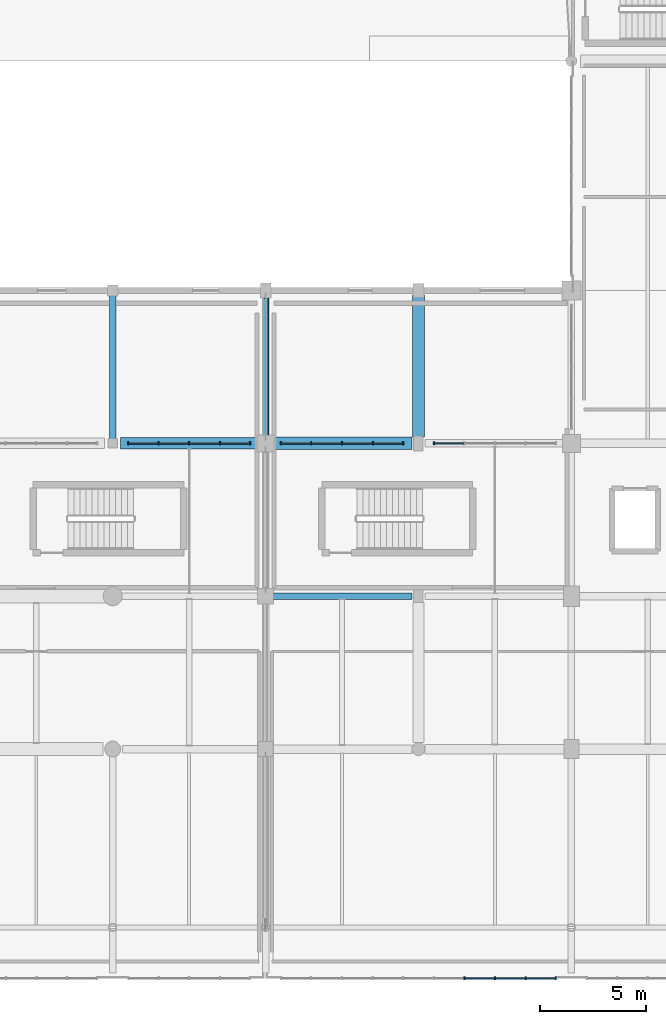
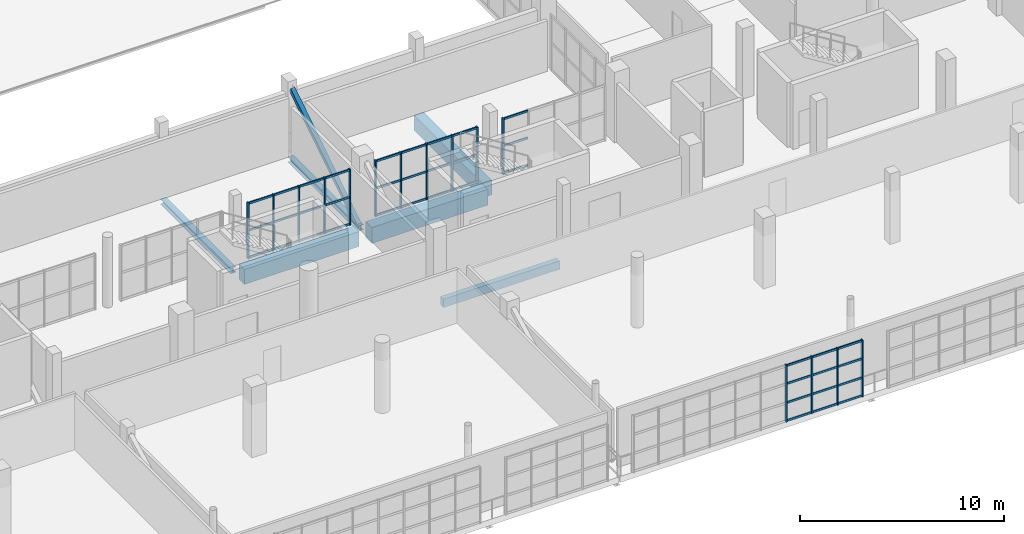
# One storey, part 32 of 90: 55 members, 6 beams, 4 elements without a shape of their own.
"""IFC4 building model written with IfcOpenShell, lengths in metres."""

from ifc_helpers import new_model, si_unit, direction, frame, origin, origin_2d, place, context, subcontext, project, spatial, rectangle, hollow_rectangle, i_section, extrude, material, material_profile, profile_set, type_object, element, aggregate, save


model = new_model("IFC4")

# Units and contexts
model_context = context("Model", 3, precision=1e-05, world=origin(), true_north=direction((0.0, 1.0)))
body_context = subcontext(model_context, "Body", "Model", "MODEL_VIEW")
ifc_project = project(units=[si_unit("LENGTHUNIT", "METRE"), si_unit("AREAUNIT", "SQUARE_METRE"), si_unit("VOLUMEUNIT", "CUBIC_METRE"), si_unit("PLANEANGLEUNIT", "RADIAN"), si_unit("MASSUNIT", "GRAM", prefix="KILO")], contexts=[model_context])

# Site, building, storey
site_placement = place(None, origin())
site = spatial("IfcSite", under=ifc_project, at=site_placement, CompositionType="ELEMENT")
building_placement = place(site_placement, origin())
building = spatial("IfcBuilding", under=site, at=building_placement, Name="Solanera Park Tramway Depot", CompositionType="ELEMENT")
storey_placement = place(building_placement, frame((0.0, 0.0, 9.0)))
storey = spatial("IfcBuildingStorey", under=building, at=storey_placement, Name="L02", CompositionType="ELEMENT", Elevation=9.0)

# Curtain wall, members
ifc_material_1 = material(Name="Bronze-anodised thermally broken aluminium curtain wall", Category="aluminium")
curtain_wall_type_1 = type_object("IfcCurtainWallType", Name="Courtyard Cloister Unitised Curtain Wall", PredefinedType="NOTDEFINED", material=ifc_material_1)
curtain_wall_1_placement = place(storey_placement, origin())
curtain_wall_1 = element("IfcCurtainWall", 1, at=curtain_wall_1_placement, inside=storey, type_object=curtain_wall_type_1, Name="L02 Courtyard Cloister Unitised Curtain Wall #107", PredefinedType="NOTDEFINED")
ifc_material_2 = material(Name="Bronze-anodised structural aluminium 6063-T6", Category="aluminium")
ifc_material_profile_1 = material_profile(ifc_material_2, rectangle(XDim=0.06494140625, YDim=0.14990234375, at=origin_2d()), Name="Curtain Wall Mullion 65x150")
ifc_profile_set_1 = profile_set([ifc_material_profile_1], Name="Bronze-anodised structural aluminium 6063-T6")
member_type_1 = type_object("IfcMemberType", Name="Curtain Wall Mullion 65x150", PredefinedType="MULLION", material=ifc_profile_set_1)
member_1_placement = place(storey_placement, frame((144.732421875, 25.199951171875, 0.0), z_axis=(0.0, 0.0, 1.0), x_axis=(1.0, 0.0, 0.0)))
member_1 = element("IfcMember", 2, at=member_1_placement, type_object=member_type_1, Name="CW-L02-107 Mullion 1", PredefinedType="MULLION", context=body_context, shape_type="SweptSolid", body=[
    extrude(rectangle(XDim=0.06494140625, YDim=0.14990234375, at=origin_2d()), origin(), (0.0, 0.0, 1.0), 3.35009765625),
])
member_2_placement = place(storey_placement, frame((146.14990234375, 25.199951171875, 0.0), z_axis=(0.0, 0.0, 1.0), x_axis=(1.0, 0.0, 0.0)))
member_2 = element("IfcMember", 3, at=member_2_placement, type_object=member_type_1, Name="CW-L02-107 Mullion 2", PredefinedType="MULLION", context=body_context, shape_type="SweptSolid", body=[
    extrude(rectangle(XDim=0.06494140625, YDim=0.14990234375, at=origin_2d()), origin(), (0.0, 0.0, 1.0), 3.35009765625),
])
member_3_placement = place(storey_placement, frame((147.60009765625, 25.199951171875, 0.0), z_axis=(0.0, 0.0, 1.0), x_axis=(1.0, 0.0, 0.0)))
member_3 = element("IfcMember", 4, at=member_3_placement, type_object=member_type_1, Name="CW-L02-107 Mullion 3", PredefinedType="MULLION", context=body_context, shape_type="SweptSolid", body=[
    extrude(rectangle(XDim=0.06494140625, YDim=0.14990234375, at=origin_2d()), origin(), (0.0, 0.0, 1.0), 3.35009765625),
])
member_4_placement = place(storey_placement, frame((149.050048828125, 25.199951171875, 0.0), z_axis=(0.0, 0.0, 1.0), x_axis=(1.0, 0.0, 0.0)))
member_4 = element("IfcMember", 5, at=member_4_placement, type_object=member_type_1, Name="CW-L02-107 Mullion 4", PredefinedType="MULLION", context=body_context, shape_type="SweptSolid", body=[
    extrude(rectangle(XDim=0.06494140625, YDim=0.14990234375, at=origin_2d()), origin(), (0.0, 0.0, 1.0), 3.35009765625),
])
member_5_placement = place(storey_placement, frame((150.467529296875, 25.199951171875, 0.0), z_axis=(0.0, 0.0, 1.0), x_axis=(1.0, 0.0, 0.0)))
member_5 = element("IfcMember", 6, at=member_5_placement, type_object=member_type_1, Name="CW-L02-107 Mullion 5", PredefinedType="MULLION", context=body_context, shape_type="SweptSolid", body=[
    extrude(rectangle(XDim=0.06494140625, YDim=0.14990234375, at=origin_2d()), origin(), (0.0, 0.0, 1.0), 3.35009765625),
])

curtain_wall_2_placement = place(storey_placement, origin())
curtain_wall_2 = element("IfcCurtainWall", 7, at=curtain_wall_2_placement, inside=storey, type_object=curtain_wall_type_1, Name="L02 Courtyard Cloister Unitised Curtain Wall #108", PredefinedType="NOTDEFINED")
member_6_placement = place(storey_placement, frame((151.9326171875, 25.199951171875, 0.0), z_axis=(0.0, 0.0, 1.0), x_axis=(1.0, 0.0, 0.0)))
member_6 = element("IfcMember", 8, at=member_6_placement, type_object=member_type_1, Name="CW-L02-108 Mullion 1", PredefinedType="MULLION", context=body_context, shape_type="SweptSolid", body=[
    extrude(rectangle(XDim=0.06494140625, YDim=0.14990234375, at=origin_2d()), origin(), (0.0, 0.0, 1.0), 3.35009765625),
])
member_7_placement = place(storey_placement, frame((153.35009765625, 25.199951171875, 0.0), z_axis=(0.0, 0.0, 1.0), x_axis=(1.0, 0.0, 0.0)))
member_7 = element("IfcMember", 9, at=member_7_placement, type_object=member_type_1, Name="CW-L02-108 Mullion 2", PredefinedType="MULLION", context=body_context, shape_type="SweptSolid", body=[
    extrude(rectangle(XDim=0.06494140625, YDim=0.14990234375, at=origin_2d()), origin(), (0.0, 0.0, 1.0), 3.35009765625),
])
member_8_placement = place(storey_placement, frame((154.800048828125, 25.199951171875, 0.0), z_axis=(0.0, 0.0, 1.0), x_axis=(1.0, 0.0, 0.0)))
member_8 = element("IfcMember", 10, at=member_8_placement, type_object=member_type_1, Name="CW-L02-108 Mullion 3", PredefinedType="MULLION", context=body_context, shape_type="SweptSolid", body=[
    extrude(rectangle(XDim=0.06494140625, YDim=0.14990234375, at=origin_2d()), origin(), (0.0, 0.0, 1.0), 3.35009765625),
])
member_9_placement = place(storey_placement, frame((156.25, 25.199951171875, 0.0), z_axis=(0.0, 0.0, 1.0), x_axis=(1.0, 0.0, 0.0)))
member_9 = element("IfcMember", 11, at=member_9_placement, type_object=member_type_1, Name="CW-L02-108 Mullion 4", PredefinedType="MULLION", context=body_context, shape_type="SweptSolid", body=[
    extrude(rectangle(XDim=0.06494140625, YDim=0.14990234375, at=origin_2d()), origin(), (0.0, 0.0, 1.0), 3.35009765625),
])
member_10_placement = place(storey_placement, frame((157.66748046875, 25.199951171875, 0.0), z_axis=(0.0, 0.0, 1.0), x_axis=(1.0, 0.0, 0.0)))
member_10 = element("IfcMember", 12, at=member_10_placement, type_object=member_type_1, Name="CW-L02-108 Mullion 5", PredefinedType="MULLION", context=body_context, shape_type="SweptSolid", body=[
    extrude(rectangle(XDim=0.06494140625, YDim=0.14990234375, at=origin_2d()), origin(), (0.0, 0.0, 1.0), 3.35009765625),
])

# Curtain wall, member
curtain_wall_3_placement = place(storey_placement, origin())
curtain_wall_3 = element("IfcCurtainWall", 13, at=curtain_wall_3_placement, inside=storey, type_object=curtain_wall_type_1, Name="L02 Courtyard Cloister Unitised Curtain Wall #109", PredefinedType="NOTDEFINED")
member_11_placement = place(storey_placement, frame((159.132568359375, 25.199951171875, 0.0), z_axis=(0.0, 0.0, 1.0), x_axis=(1.0, 0.0, 0.0)))
member_11 = element("IfcMember", 14, at=member_11_placement, type_object=member_type_1, Name="CW-L02-109 Mullion 1", PredefinedType="MULLION", context=body_context, shape_type="SweptSolid", body=[
    extrude(rectangle(XDim=0.06494140625, YDim=0.14990234375, at=origin_2d()), origin(), (0.0, 0.0, 1.0), 3.35009765625),
])

# Curtain wall, members
ifc_material_3 = material(Name="Bronze-anodised thermally broken aluminium curtain wall", Category="aluminium")
curtain_wall_type_2 = type_object("IfcCurtainWallType", Name="Cantilevered OCC Inclined Glazing Wall", PredefinedType="NOTDEFINED", material=ifc_material_3)
curtain_wall_4_placement = place(storey_placement, origin())
curtain_wall_4 = element("IfcCurtainWall", 15, at=curtain_wall_4_placement, inside=storey, type_object=curtain_wall_type_2, Name="L02 Cantilevered OCC Inclined Glazing Wall #118", PredefinedType="NOTDEFINED")
member_12_placement = place(storey_placement, frame((160.566650390625, 0.0, 0.0), z_axis=(0.0, 0.0, 1.0), x_axis=(1.0, 0.0, 0.0)))
member_12 = element("IfcMember", 16, at=member_12_placement, type_object=member_type_1, Name="CW-L02-118 Mullion 7", PredefinedType="MULLION", context=body_context, shape_type="SweptSolid", body=[
    extrude(rectangle(XDim=0.06494140625, YDim=0.14990234375, at=origin_2d()), origin(), (0.0, 0.0, 1.0), 3.39990234375),
])
member_13_placement = place(storey_placement, frame((162.010986328125, 0.0, 0.0), z_axis=(0.0, 0.0, 1.0), x_axis=(1.0, 0.0, 0.0)))
member_13 = element("IfcMember", 17, at=member_13_placement, type_object=member_type_1, Name="CW-L02-118 Mullion 8", PredefinedType="MULLION", context=body_context, shape_type="SweptSolid", body=[
    extrude(rectangle(XDim=0.06494140625, YDim=0.14990234375, at=origin_2d()), origin(), (0.0, 0.0, 1.0), 3.39990234375),
])
member_14_placement = place(storey_placement, frame((163.45556640625, 0.0, 0.0), z_axis=(0.0, 0.0, 1.0), x_axis=(1.0, 0.0, 0.0)))
member_14 = element("IfcMember", 18, at=member_14_placement, type_object=member_type_1, Name="CW-L02-118 Mullion 9", PredefinedType="MULLION", context=body_context, shape_type="SweptSolid", body=[
    extrude(rectangle(XDim=0.06494140625, YDim=0.14990234375, at=origin_2d()), origin(), (0.0, 0.0, 1.0), 3.39990234375),
])
member_15_placement = place(storey_placement, frame((164.867431640625, 0.0, 0.0), z_axis=(0.0, 0.0, 1.0), x_axis=(1.0, 0.0, 0.0)))
member_15 = element("IfcMember", 19, at=member_15_placement, type_object=member_type_1, Name="CW-L02-118 Mullion 10", PredefinedType="MULLION", context=body_context, shape_type="SweptSolid", body=[
    extrude(rectangle(XDim=0.06494140625, YDim=0.14990234375, at=origin_2d()), origin(), (0.0, 0.0, 1.0), 3.39990234375),
])

# Member
ifc_material_4 = material(Name="Bronze-anodised structural aluminium 6063-T6", Category="aluminium")
ifc_material_profile_2 = material_profile(ifc_material_4, rectangle(XDim=0.06494140625, YDim=0.1201171875, at=origin_2d()), Name="Curtain Wall Transom 65x120")
ifc_profile_set_2 = profile_set([ifc_material_profile_2], Name="Bronze-anodised structural aluminium 6063-T6")
member_type_2 = type_object("IfcMemberType", Name="Curtain Wall Transom 65x120", PredefinedType="USERDEFINED", material=ifc_profile_set_2)
member_16_placement = place(storey_placement, frame((144.760498046875, 25.199951171875, 0.06005859375), z_axis=(1.0, 0.0, 0.0), x_axis=(0.0, 1.0, 0.0)))
member_16 = element("IfcMember", 20, at=member_16_placement, type_object=member_type_2, Name="CW-L02-107 Transom R1.C1", ObjectType="TRANSOM", PredefinedType="USERDEFINED", context=body_context, shape_type="SweptSolid", body=[
    extrude(rectangle(XDim=0.06494140625, YDim=0.1201171875, at=origin_2d()), origin(), (0.0, 0.0, 1.0), 1.361572265625),
])

member_17_placement = place(storey_placement, frame((146.177978515625, 25.199951171875, 0.06005859375), z_axis=(1.0, 0.0, 0.0), x_axis=(0.0, 1.0, 0.0)))
member_17 = element("IfcMember", 21, at=member_17_placement, type_object=member_type_2, Name="CW-L02-107 Transom R1.C2", ObjectType="TRANSOM", PredefinedType="USERDEFINED", context=body_context, shape_type="SweptSolid", body=[
    extrude(rectangle(XDim=0.06494140625, YDim=0.1201171875, at=origin_2d()), origin(), (0.0, 0.0, 1.0), 1.39404296875),
])

member_18_placement = place(storey_placement, frame((147.6279296875, 25.199951171875, 0.06005859375), z_axis=(1.0, 0.0, 0.0), x_axis=(0.0, 1.0, 0.0)))
member_18 = element("IfcMember", 22, at=member_18_placement, type_object=member_type_2, Name="CW-L02-107 Transom R1.C3", ObjectType="TRANSOM", PredefinedType="USERDEFINED", context=body_context, shape_type="SweptSolid", body=[
    extrude(rectangle(XDim=0.06494140625, YDim=0.1201171875, at=origin_2d()), origin(), (0.0, 0.0, 1.0), 1.39404296875),
])

member_19_placement = place(storey_placement, frame((149.077880859375, 25.199951171875, 0.06005859375), z_axis=(1.0, 0.0, 0.0), x_axis=(0.0, 1.0, 0.0)))
member_19 = element("IfcMember", 23, at=member_19_placement, type_object=member_type_2, Name="CW-L02-107 Transom R1.C4", ObjectType="TRANSOM", PredefinedType="USERDEFINED", context=body_context, shape_type="SweptSolid", body=[
    extrude(rectangle(XDim=0.06494140625, YDim=0.1201171875, at=origin_2d()), origin(), (0.0, 0.0, 1.0), 1.361572265625),
])

member_20_placement = place(storey_placement, frame((144.760498046875, 25.199951171875, 1.675048828125), z_axis=(1.0, 0.0, 0.0), x_axis=(0.0, 1.0, 0.0)))
member_20 = element("IfcMember", 24, at=member_20_placement, type_object=member_type_2, Name="CW-L02-107 Transom R2.C1", ObjectType="TRANSOM", PredefinedType="USERDEFINED", context=body_context, shape_type="SweptSolid", body=[
    extrude(rectangle(XDim=0.06494140625, YDim=0.1201171875, at=origin_2d()), origin(), (0.0, 0.0, 1.0), 1.361572265625),
])

member_21_placement = place(storey_placement, frame((146.177978515625, 25.199951171875, 1.675048828125), z_axis=(1.0, 0.0, 0.0), x_axis=(0.0, 1.0, 0.0)))
member_21 = element("IfcMember", 25, at=member_21_placement, type_object=member_type_2, Name="CW-L02-107 Transom R2.C2", ObjectType="TRANSOM", PredefinedType="USERDEFINED", context=body_context, shape_type="SweptSolid", body=[
    extrude(rectangle(XDim=0.06494140625, YDim=0.1201171875, at=origin_2d()), origin(), (0.0, 0.0, 1.0), 1.39404296875),
])

member_22_placement = place(storey_placement, frame((147.6279296875, 25.199951171875, 1.675048828125), z_axis=(1.0, 0.0, 0.0), x_axis=(0.0, 1.0, 0.0)))
member_22 = element("IfcMember", 26, at=member_22_placement, type_object=member_type_2, Name="CW-L02-107 Transom R2.C3", ObjectType="TRANSOM", PredefinedType="USERDEFINED", context=body_context, shape_type="SweptSolid", body=[
    extrude(rectangle(XDim=0.06494140625, YDim=0.1201171875, at=origin_2d()), origin(), (0.0, 0.0, 1.0), 1.39404296875),
])

member_23_placement = place(storey_placement, frame((149.077880859375, 25.199951171875, 1.675048828125), z_axis=(1.0, 0.0, 0.0), x_axis=(0.0, 1.0, 0.0)))
member_23 = element("IfcMember", 27, at=member_23_placement, type_object=member_type_2, Name="CW-L02-107 Transom R2.C4", ObjectType="TRANSOM", PredefinedType="USERDEFINED", context=body_context, shape_type="SweptSolid", body=[
    extrude(rectangle(XDim=0.06494140625, YDim=0.1201171875, at=origin_2d()), origin(), (0.0, 0.0, 1.0), 1.361572265625),
])

member_24_placement = place(storey_placement, frame((144.760498046875, 25.199951171875, 3.2900390625), z_axis=(1.0, 0.0, 0.0), x_axis=(0.0, 1.0, 0.0)))
member_24 = element("IfcMember", 28, at=member_24_placement, type_object=member_type_2, Name="CW-L02-107 Transom R3.C1", ObjectType="TRANSOM", PredefinedType="USERDEFINED", context=body_context, shape_type="SweptSolid", body=[
    extrude(rectangle(XDim=0.06494140625, YDim=0.1201171875, at=origin_2d()), origin(), (0.0, 0.0, 1.0), 1.361572265625),
])

member_25_placement = place(storey_placement, frame((146.177978515625, 25.199951171875, 3.2900390625), z_axis=(1.0, 0.0, 0.0), x_axis=(0.0, 1.0, 0.0)))
member_25 = element("IfcMember", 29, at=member_25_placement, type_object=member_type_2, Name="CW-L02-107 Transom R3.C2", ObjectType="TRANSOM", PredefinedType="USERDEFINED", context=body_context, shape_type="SweptSolid", body=[
    extrude(rectangle(XDim=0.06494140625, YDim=0.1201171875, at=origin_2d()), origin(), (0.0, 0.0, 1.0), 1.39404296875),
])

member_26_placement = place(storey_placement, frame((147.6279296875, 25.199951171875, 3.2900390625), z_axis=(1.0, 0.0, 0.0), x_axis=(0.0, 1.0, 0.0)))
member_26 = element("IfcMember", 30, at=member_26_placement, type_object=member_type_2, Name="CW-L02-107 Transom R3.C3", ObjectType="TRANSOM", PredefinedType="USERDEFINED", context=body_context, shape_type="SweptSolid", body=[
    extrude(rectangle(XDim=0.06494140625, YDim=0.1201171875, at=origin_2d()), origin(), (0.0, 0.0, 1.0), 1.39404296875),
])

member_27_placement = place(storey_placement, frame((149.077880859375, 25.199951171875, 3.2900390625), z_axis=(1.0, 0.0, 0.0), x_axis=(0.0, 1.0, 0.0)))
member_27 = element("IfcMember", 31, at=member_27_placement, type_object=member_type_2, Name="CW-L02-107 Transom R3.C4", ObjectType="TRANSOM", PredefinedType="USERDEFINED", context=body_context, shape_type="SweptSolid", body=[
    extrude(rectangle(XDim=0.06494140625, YDim=0.1201171875, at=origin_2d()), origin(), (0.0, 0.0, 1.0), 1.361572265625),
])

aggregate(curtain_wall_1, [member_1, member_2, member_3, member_4, member_5, member_16, member_17, member_18, member_19, member_20, member_21, member_22, member_23, member_24, member_25, member_26, member_27])

member_28_placement = place(storey_placement, frame((151.96044921875, 25.199951171875, 0.06005859375), z_axis=(1.0, 0.0, 0.0), x_axis=(0.0, 1.0, 0.0)))
member_28 = element("IfcMember", 32, at=member_28_placement, type_object=member_type_2, Name="CW-L02-108 Transom R1.C1", ObjectType="TRANSOM", PredefinedType="USERDEFINED", context=body_context, shape_type="SweptSolid", body=[
    extrude(rectangle(XDim=0.06494140625, YDim=0.1201171875, at=origin_2d()), origin(), (0.0, 0.0, 1.0), 1.361572265625),
])

member_29_placement = place(storey_placement, frame((153.3779296875, 25.199951171875, 0.06005859375), z_axis=(1.0, 0.0, 0.0), x_axis=(0.0, 1.0, 0.0)))
member_29 = element("IfcMember", 33, at=member_29_placement, type_object=member_type_2, Name="CW-L02-108 Transom R1.C2", ObjectType="TRANSOM", PredefinedType="USERDEFINED", context=body_context, shape_type="SweptSolid", body=[
    extrude(rectangle(XDim=0.06494140625, YDim=0.1201171875, at=origin_2d()), origin(), (0.0, 0.0, 1.0), 1.39404296875),
])

member_30_placement = place(storey_placement, frame((154.827880859375, 25.199951171875, 0.06005859375), z_axis=(1.0, 0.0, 0.0), x_axis=(0.0, 1.0, 0.0)))
member_30 = element("IfcMember", 34, at=member_30_placement, type_object=member_type_2, Name="CW-L02-108 Transom R1.C3", ObjectType="TRANSOM", PredefinedType="USERDEFINED", context=body_context, shape_type="SweptSolid", body=[
    extrude(rectangle(XDim=0.06494140625, YDim=0.1201171875, at=origin_2d()), origin(), (0.0, 0.0, 1.0), 1.39404296875),
])

member_31_placement = place(storey_placement, frame((156.278076171875, 25.199951171875, 0.06005859375), z_axis=(1.0, 0.0, 0.0), x_axis=(0.0, 1.0, 0.0)))
member_31 = element("IfcMember", 35, at=member_31_placement, type_object=member_type_2, Name="CW-L02-108 Transom R1.C4", ObjectType="TRANSOM", PredefinedType="USERDEFINED", context=body_context, shape_type="SweptSolid", body=[
    extrude(rectangle(XDim=0.06494140625, YDim=0.1201171875, at=origin_2d()), origin(), (0.0, 0.0, 1.0), 1.361328125),
])

member_32_placement = place(storey_placement, frame((151.96044921875, 25.199951171875, 1.675048828125), z_axis=(1.0, 0.0, 0.0), x_axis=(0.0, 1.0, 0.0)))
member_32 = element("IfcMember", 36, at=member_32_placement, type_object=member_type_2, Name="CW-L02-108 Transom R2.C1", ObjectType="TRANSOM", PredefinedType="USERDEFINED", context=body_context, shape_type="SweptSolid", body=[
    extrude(rectangle(XDim=0.06494140625, YDim=0.1201171875, at=origin_2d()), origin(), (0.0, 0.0, 1.0), 1.361572265625),
])

member_33_placement = place(storey_placement, frame((153.3779296875, 25.199951171875, 1.675048828125), z_axis=(1.0, 0.0, 0.0), x_axis=(0.0, 1.0, 0.0)))
member_33 = element("IfcMember", 37, at=member_33_placement, type_object=member_type_2, Name="CW-L02-108 Transom R2.C2", ObjectType="TRANSOM", PredefinedType="USERDEFINED", context=body_context, shape_type="SweptSolid", body=[
    extrude(rectangle(XDim=0.06494140625, YDim=0.1201171875, at=origin_2d()), origin(), (0.0, 0.0, 1.0), 1.39404296875),
])

member_34_placement = place(storey_placement, frame((154.827880859375, 25.199951171875, 1.675048828125), z_axis=(1.0, 0.0, 0.0), x_axis=(0.0, 1.0, 0.0)))
member_34 = element("IfcMember", 38, at=member_34_placement, type_object=member_type_2, Name="CW-L02-108 Transom R2.C3", ObjectType="TRANSOM", PredefinedType="USERDEFINED", context=body_context, shape_type="SweptSolid", body=[
    extrude(rectangle(XDim=0.06494140625, YDim=0.1201171875, at=origin_2d()), origin(), (0.0, 0.0, 1.0), 1.39404296875),
])

member_35_placement = place(storey_placement, frame((156.278076171875, 25.199951171875, 1.675048828125), z_axis=(1.0, 0.0, 0.0), x_axis=(0.0, 1.0, 0.0)))
member_35 = element("IfcMember", 39, at=member_35_placement, type_object=member_type_2, Name="CW-L02-108 Transom R2.C4", ObjectType="TRANSOM", PredefinedType="USERDEFINED", context=body_context, shape_type="SweptSolid", body=[
    extrude(rectangle(XDim=0.06494140625, YDim=0.1201171875, at=origin_2d()), origin(), (0.0, 0.0, 1.0), 1.361328125),
])

member_36_placement = place(storey_placement, frame((151.96044921875, 25.199951171875, 3.2900390625), z_axis=(1.0, 0.0, 0.0), x_axis=(0.0, 1.0, 0.0)))
member_36 = element("IfcMember", 40, at=member_36_placement, type_object=member_type_2, Name="CW-L02-108 Transom R3.C1", ObjectType="TRANSOM", PredefinedType="USERDEFINED", context=body_context, shape_type="SweptSolid", body=[
    extrude(rectangle(XDim=0.06494140625, YDim=0.1201171875, at=origin_2d()), origin(), (0.0, 0.0, 1.0), 1.361572265625),
])

member_37_placement = place(storey_placement, frame((153.3779296875, 25.199951171875, 3.2900390625), z_axis=(1.0, 0.0, 0.0), x_axis=(0.0, 1.0, 0.0)))
member_37 = element("IfcMember", 41, at=member_37_placement, type_object=member_type_2, Name="CW-L02-108 Transom R3.C2", ObjectType="TRANSOM", PredefinedType="USERDEFINED", context=body_context, shape_type="SweptSolid", body=[
    extrude(rectangle(XDim=0.06494140625, YDim=0.1201171875, at=origin_2d()), origin(), (0.0, 0.0, 1.0), 1.39404296875),
])

member_38_placement = place(storey_placement, frame((154.827880859375, 25.199951171875, 3.2900390625), z_axis=(1.0, 0.0, 0.0), x_axis=(0.0, 1.0, 0.0)))
member_38 = element("IfcMember", 42, at=member_38_placement, type_object=member_type_2, Name="CW-L02-108 Transom R3.C3", ObjectType="TRANSOM", PredefinedType="USERDEFINED", context=body_context, shape_type="SweptSolid", body=[
    extrude(rectangle(XDim=0.06494140625, YDim=0.1201171875, at=origin_2d()), origin(), (0.0, 0.0, 1.0), 1.39404296875),
])

member_39_placement = place(storey_placement, frame((156.278076171875, 25.199951171875, 3.2900390625), z_axis=(1.0, 0.0, 0.0), x_axis=(0.0, 1.0, 0.0)))
member_39 = element("IfcMember", 43, at=member_39_placement, type_object=member_type_2, Name="CW-L02-108 Transom R3.C4", ObjectType="TRANSOM", PredefinedType="USERDEFINED", context=body_context, shape_type="SweptSolid", body=[
    extrude(rectangle(XDim=0.06494140625, YDim=0.1201171875, at=origin_2d()), origin(), (0.0, 0.0, 1.0), 1.361328125),
])

aggregate(curtain_wall_2, [member_6, member_7, member_8, member_9, member_10, member_28, member_29, member_30, member_31, member_32, member_33, member_34, member_35, member_36, member_37, member_38, member_39])

member_40_placement = place(storey_placement, frame((159.160400390625, 25.199951171875, 0.06005859375), z_axis=(1.0, 0.0, 0.0), x_axis=(0.0, 1.0, 0.0)))
member_40 = element("IfcMember", 44, at=member_40_placement, type_object=member_type_2, Name="CW-L02-109 Transom R1.C1", ObjectType="TRANSOM", PredefinedType="USERDEFINED", context=body_context, shape_type="SweptSolid", body=[
    extrude(rectangle(XDim=0.06494140625, YDim=0.1201171875, at=origin_2d()), origin(), (0.0, 0.0, 1.0), 1.361572265625),
])

member_41_placement = place(storey_placement, frame((159.160400390625, 25.199951171875, 1.675048828125), z_axis=(1.0, 0.0, 0.0), x_axis=(0.0, 1.0, 0.0)))
member_41 = element("IfcMember", 45, at=member_41_placement, type_object=member_type_2, Name="CW-L02-109 Transom R2.C1", ObjectType="TRANSOM", PredefinedType="USERDEFINED", context=body_context, shape_type="SweptSolid", body=[
    extrude(rectangle(XDim=0.06494140625, YDim=0.1201171875, at=origin_2d()), origin(), (0.0, 0.0, 1.0), 1.361572265625),
])

member_42_placement = place(storey_placement, frame((159.160400390625, 25.199951171875, 3.2900390625), z_axis=(1.0, 0.0, 0.0), x_axis=(0.0, 1.0, 0.0)))
member_42 = element("IfcMember", 46, at=member_42_placement, type_object=member_type_2, Name="CW-L02-109 Transom R3.C1", ObjectType="TRANSOM", PredefinedType="USERDEFINED", context=body_context, shape_type="SweptSolid", body=[
    extrude(rectangle(XDim=0.06494140625, YDim=0.1201171875, at=origin_2d()), origin(), (0.0, 0.0, 1.0), 1.361572265625),
])

aggregate(curtain_wall_3, [member_11, member_40, member_41, member_42])

member_43_placement = place(storey_placement, frame((160.5947265625, 0.0, 0.06005859375), z_axis=(1.0, 0.0, 0.0), x_axis=(0.0, 1.0, 0.0)))
member_43 = element("IfcMember", 47, at=member_43_placement, type_object=member_type_2, Name="CW-L02-118 Transom R1.C7", ObjectType="TRANSOM", PredefinedType="USERDEFINED", context=body_context, shape_type="SweptSolid", body=[
    extrude(rectangle(XDim=0.06494140625, YDim=0.1201171875, at=origin_2d()), origin(), (0.0, 0.0, 1.0), 1.388427734375),
])

member_44_placement = place(storey_placement, frame((162.0390625, 0.0, 0.06005859375), z_axis=(1.0, 0.0, 0.0), x_axis=(0.0, 1.0, 0.0)))
member_44 = element("IfcMember", 48, at=member_44_placement, type_object=member_type_2, Name="CW-L02-118 Transom R1.C8", ObjectType="TRANSOM", PredefinedType="USERDEFINED", context=body_context, shape_type="SweptSolid", body=[
    extrude(rectangle(XDim=0.06494140625, YDim=0.1201171875, at=origin_2d()), origin(), (0.0, 0.0, 1.0), 1.388427734375),
])

member_45_placement = place(storey_placement, frame((163.483642578125, 0.0, 0.06005859375), z_axis=(1.0, 0.0, 0.0), x_axis=(0.0, 1.0, 0.0)))
member_45 = element("IfcMember", 49, at=member_45_placement, type_object=member_type_2, Name="CW-L02-118 Transom R1.C9", ObjectType="TRANSOM", PredefinedType="USERDEFINED", context=body_context, shape_type="SweptSolid", body=[
    extrude(rectangle(XDim=0.06494140625, YDim=0.1201171875, at=origin_2d()), origin(), (0.0, 0.0, 1.0), 1.35595703125),
])

member_46_placement = place(storey_placement, frame((160.5947265625, 0.0, 1.13330078125), z_axis=(1.0, 0.0, 0.0), x_axis=(0.0, 1.0, 0.0)))
member_46 = element("IfcMember", 50, at=member_46_placement, type_object=member_type_2, Name="CW-L02-118 Transom R2.C7", ObjectType="TRANSOM", PredefinedType="USERDEFINED", context=body_context, shape_type="SweptSolid", body=[
    extrude(rectangle(XDim=0.06494140625, YDim=0.1201171875, at=origin_2d()), origin(), (0.0, 0.0, 1.0), 1.388427734375),
])

member_47_placement = place(storey_placement, frame((162.0390625, 0.0, 1.13330078125), z_axis=(1.0, 0.0, 0.0), x_axis=(0.0, 1.0, 0.0)))
member_47 = element("IfcMember", 51, at=member_47_placement, type_object=member_type_2, Name="CW-L02-118 Transom R2.C8", ObjectType="TRANSOM", PredefinedType="USERDEFINED", context=body_context, shape_type="SweptSolid", body=[
    extrude(rectangle(XDim=0.06494140625, YDim=0.1201171875, at=origin_2d()), origin(), (0.0, 0.0, 1.0), 1.388427734375),
])

member_48_placement = place(storey_placement, frame((163.483642578125, 0.0, 1.13330078125), z_axis=(1.0, 0.0, 0.0), x_axis=(0.0, 1.0, 0.0)))
member_48 = element("IfcMember", 52, at=member_48_placement, type_object=member_type_2, Name="CW-L02-118 Transom R2.C9", ObjectType="TRANSOM", PredefinedType="USERDEFINED", context=body_context, shape_type="SweptSolid", body=[
    extrude(rectangle(XDim=0.06494140625, YDim=0.1201171875, at=origin_2d()), origin(), (0.0, 0.0, 1.0), 1.35595703125),
])

member_49_placement = place(storey_placement, frame((160.5947265625, 0.0, 2.2666015625), z_axis=(1.0, 0.0, 0.0), x_axis=(0.0, 1.0, 0.0)))
member_49 = element("IfcMember", 53, at=member_49_placement, type_object=member_type_2, Name="CW-L02-118 Transom R3.C7", ObjectType="TRANSOM", PredefinedType="USERDEFINED", context=body_context, shape_type="SweptSolid", body=[
    extrude(rectangle(XDim=0.06494140625, YDim=0.1201171875, at=origin_2d()), origin(), (0.0, 0.0, 1.0), 1.388427734375),
])

member_50_placement = place(storey_placement, frame((162.0390625, 0.0, 2.2666015625), z_axis=(1.0, 0.0, 0.0), x_axis=(0.0, 1.0, 0.0)))
member_50 = element("IfcMember", 54, at=member_50_placement, type_object=member_type_2, Name="CW-L02-118 Transom R3.C8", ObjectType="TRANSOM", PredefinedType="USERDEFINED", context=body_context, shape_type="SweptSolid", body=[
    extrude(rectangle(XDim=0.06494140625, YDim=0.1201171875, at=origin_2d()), origin(), (0.0, 0.0, 1.0), 1.388427734375),
])

member_51_placement = place(storey_placement, frame((163.483642578125, 0.0, 2.2666015625), z_axis=(1.0, 0.0, 0.0), x_axis=(0.0, 1.0, 0.0)))
member_51 = element("IfcMember", 55, at=member_51_placement, type_object=member_type_2, Name="CW-L02-118 Transom R3.C9", ObjectType="TRANSOM", PredefinedType="USERDEFINED", context=body_context, shape_type="SweptSolid", body=[
    extrude(rectangle(XDim=0.06494140625, YDim=0.1201171875, at=origin_2d()), origin(), (0.0, 0.0, 1.0), 1.35595703125),
])

member_52_placement = place(storey_placement, frame((160.5947265625, 0.0, 3.340087890625), z_axis=(1.0, 0.0, 0.0), x_axis=(0.0, 1.0, 0.0)))
member_52 = element("IfcMember", 56, at=member_52_placement, type_object=member_type_2, Name="CW-L02-118 Transom R4.C7", ObjectType="TRANSOM", PredefinedType="USERDEFINED", context=body_context, shape_type="SweptSolid", body=[
    extrude(rectangle(XDim=0.06494140625, YDim=0.1201171875, at=origin_2d()), origin(), (0.0, 0.0, 1.0), 1.388427734375),
])

member_53_placement = place(storey_placement, frame((162.0390625, 0.0, 3.340087890625), z_axis=(1.0, 0.0, 0.0), x_axis=(0.0, 1.0, 0.0)))
member_53 = element("IfcMember", 57, at=member_53_placement, type_object=member_type_2, Name="CW-L02-118 Transom R4.C8", ObjectType="TRANSOM", PredefinedType="USERDEFINED", context=body_context, shape_type="SweptSolid", body=[
    extrude(rectangle(XDim=0.06494140625, YDim=0.1201171875, at=origin_2d()), origin(), (0.0, 0.0, 1.0), 1.388427734375),
])

member_54_placement = place(storey_placement, frame((163.483642578125, 0.0, 3.340087890625), z_axis=(1.0, 0.0, 0.0), x_axis=(0.0, 1.0, 0.0)))
member_54 = element("IfcMember", 58, at=member_54_placement, type_object=member_type_2, Name="CW-L02-118 Transom R4.C9", ObjectType="TRANSOM", PredefinedType="USERDEFINED", context=body_context, shape_type="SweptSolid", body=[
    extrude(rectangle(XDim=0.06494140625, YDim=0.1201171875, at=origin_2d()), origin(), (0.0, 0.0, 1.0), 1.35595703125),
])

aggregate(curtain_wall_4, [member_12, member_13, member_14, member_15, member_43, member_44, member_45, member_46, member_47, member_48, member_49, member_50, member_51, member_52, member_53, member_54])

# Beams
ifc_material_5 = material(Name="Concrete N40 (C40/50)", Category="concrete")
ifc_material_profile_3 = material_profile(ifc_material_5, rectangle(XDim=0.300048828125, YDim=0.5, at=origin_2d()), Name="RCB 300x500")
ifc_profile_set_3 = profile_set([ifc_material_profile_3], Name="Concrete N40 (C40/50)")
beam_type_1 = type_object("IfcBeamType", Name="RC Floor Beam RCB 300x500", PredefinedType="BEAM", material=ifc_profile_set_3)
beam_1_placement = place(storey_placement, frame((151.52490234375, 18.0, -0.614013671875), z_axis=(1.0, 0.0, 0.0), x_axis=(0.0, 1.0, 0.0)))
element("IfcBeam", 59, at=beam_1_placement, inside=storey, type_object=beam_type_1, Name="L02 Primary X-Girder RCB 300x500 #0115", PredefinedType="BEAM", context=body_context, shape_type="SweptSolid", body=[
    extrude(rectangle(XDim=0.300048828125, YDim=0.5, at=origin_2d()), origin(), (0.0, 0.0, 1.0), 6.5751953125),
])
ifc_material_6 = material(Name="Concrete N40 (C40/50)", Category="concrete")
ifc_material_profile_4 = material_profile(ifc_material_6, rectangle(XDim=0.550048828125, YDim=0.89990234375, at=origin_2d()), Name="RCB 550x900")
ifc_profile_set_4 = profile_set([ifc_material_profile_4], Name="Concrete N40 (C40/50)")
beam_type_2 = type_object("IfcBeamType", Name="RC Floor Beam RCB 550x900", PredefinedType="BEAM", material=ifc_profile_set_4)
beam_2_placement = place(storey_placement, frame((144.375, 25.199951171875, -0.81396484375), z_axis=(1.0, 0.0, 0.0), x_axis=(0.0, 1.0, 0.0)))
element("IfcBeam", 60, at=beam_2_placement, inside=storey, type_object=beam_type_2, Name="L02 Primary X-Girder RCB 550x900 #0125", PredefinedType="BEAM", context=body_context, shape_type="SweptSolid", body=[
    extrude(rectangle(XDim=0.550048828125, YDim=0.89990234375, at=origin_2d()), origin(), (0.0, 0.0, 1.0), 6.47509765625),
])
beam_3_placement = place(storey_placement, frame((158.39990234375, 25.5, -0.81396484375), z_axis=(0.0, 1.0, 0.0), x_axis=(-1.0, 0.0, 0.0)))
element("IfcBeam", 61, at=beam_3_placement, inside=storey, type_object=beam_type_2, Name="L02 Primary Y-Girder RCB 550x900 #0150", PredefinedType="BEAM", context=body_context, shape_type="SweptSolid", body=[
    extrude(rectangle(XDim=0.550048828125, YDim=0.89990234375, at=origin_2d()), origin(), (0.0, 0.0, 1.0), 6.675048828125),
])
ifc_material_7 = material(Name="Concrete N40 (C40/50)", Category="concrete")
ifc_material_profile_5 = material_profile(ifc_material_7, rectangle(XDim=0.60009765625, YDim=0.949951171875, at=origin_2d()), Name="RCB 600x950")
ifc_profile_set_5 = profile_set([ifc_material_profile_5], Name="Concrete N40 (C40/50)")
beam_type_3 = type_object("IfcBeamType", Name="RC Floor Beam RCB 600x950", PredefinedType="BEAM", material=ifc_profile_set_5)
beam_4_placement = place(storey_placement, frame((151.550048828125, 25.199951171875, -0.839111328125), z_axis=(1.0, 0.0, 0.0), x_axis=(0.0, 1.0, 0.0)))
element("IfcBeam", 62, at=beam_4_placement, inside=storey, type_object=beam_type_3, Name="L02 Primary X-Girder RCB 600x950 #0126", PredefinedType="BEAM", context=body_context, shape_type="SweptSolid", body=[
    extrude(rectangle(XDim=0.60009765625, YDim=0.949951171875, at=origin_2d()), origin(), (0.0, 0.0, 1.0), 6.550048828125),
])
ifc_material_8 = material(Name="Steel AS/NZS 3679.1 Grade 350", Category="steel")
ifc_material_profile_6 = material_profile(ifc_material_8, i_section(OverallWidth=0.310546875, OverallDepth=0.3271484375, WebThickness=0.015625, FlangeThickness=0.02490234375, at=origin_2d()), Name="310UC158")
ifc_profile_set_6 = profile_set([ifc_material_profile_6], Name="Steel AS/NZS 3679.1 Grade 350")
beam_type_4 = type_object("IfcBeamType", Name="Steel Beam 310UC158", PredefinedType="BEAM", material=ifc_profile_set_6)
for number, where, z_axis, x_axis, name in (
    (63, (144.0, 25.3798828125, -0.550048828125), (0.0, 1.0, 0.0), (-1.0, 0.0, 0.0), "L02 Transfer Truss Backspan Chord 310UC158 #0318"),
    (64, (151.199951171875, 25.3798828125, -0.550048828125), (0.0, 1.0, 0.0), (-1.0, 0.0, 0.0), "L02 Transfer Truss Backspan Chord 310UC158 #0325"),
):
    element("IfcBeam", number, at=place(storey_placement, frame(where, z_axis=z_axis, x_axis=x_axis)), inside=storey, type_object=beam_type_4, Name=name, PredefinedType="BEAM", context=body_context, shape_type="SweptSolid", body=[
        extrude(i_section(OverallWidth=0.310546875, OverallDepth=0.3271484375, WebThickness=0.015625, FlangeThickness=0.02490234375, at=origin_2d()), origin(), (0.0, 0.0, 1.0), 6.840087890625),
    ])

# Member
ifc_material_9 = material(Name="Steel AS/NZS 1163 Grade C350L0", Category="steel")
ifc_material_profile_7 = material_profile(ifc_material_9, hollow_rectangle(XDim=0.25, YDim=0.25, WallThickness=0.010009765625, at=origin_2d()), Name="250x250x10.0 SHS")
ifc_profile_set_7 = profile_set([ifc_material_profile_7], Name="Steel AS/NZS 1163 Grade C350L0")
member_type_3 = type_object("IfcMemberType", Name="Truss and Frame Brace 250x250x10.0 SHS", PredefinedType="BRACE", material=ifc_profile_set_7)
member_55_placement = place(storey_placement, frame((151.199951171875, 25.5, -0.550048828125), z_axis=(0.0, 0.841928477143, 0.539589139416), x_axis=(-1.0, 0.0, 0.0)))
element("IfcMember", 65, at=member_55_placement, inside=storey, type_object=member_type_3, Name="Pratt Transfer Truss Web Diagonal #0006", PredefinedType="BRACE", context=body_context, shape_type="SweptSolid", body=[
    extrude(hollow_rectangle(XDim=0.25, YDim=0.25, WallThickness=0.010009765625, at=origin_2d()), origin(), (0.0, 0.0, 1.0), 7.83935546875),
])

save(model, "model.ifc")
